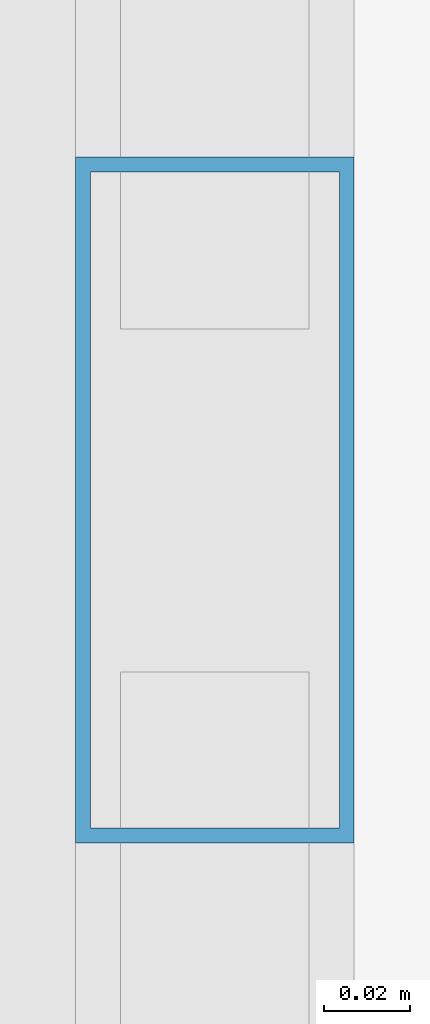
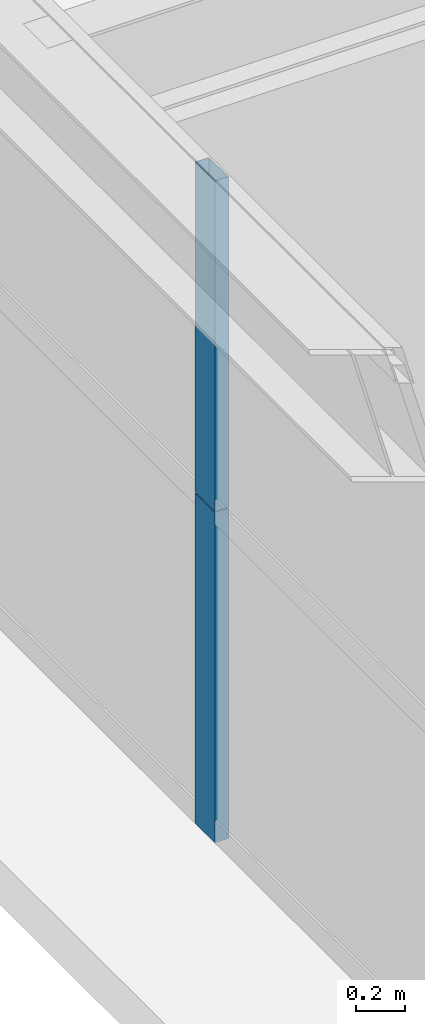
# One storey, part 14 of 45: 2 members, 1 element without a shape of its own.
"""IFC4 building model written with IfcOpenShell, lengths in metres."""

from ifc_helpers import new_model, si_unit, direction, frame, origin, origin_2d, place, context, subcontext, project, spatial, hollow_rectangle, extrude, source, transform, mapped, material, layer, layer_set, material_profile, profile_set, type_object, element, aggregate, save


model = new_model("IFC4")

# Units and contexts
model_context = context("Model", 3, precision=1e-05, world=origin(), true_north=direction((0.0, 1.0)))
body_context = subcontext(model_context, "Body", "Model", "MODEL_VIEW")
ifc_project = project(units=[si_unit("LENGTHUNIT", "METRE"), si_unit("AREAUNIT", "SQUARE_METRE"), si_unit("VOLUMEUNIT", "CUBIC_METRE"), si_unit("PLANEANGLEUNIT", "RADIAN"), si_unit("MASSUNIT", "GRAM", prefix="KILO"), si_unit("THERMODYNAMICTEMPERATUREUNIT", "KELVIN"), si_unit("POWERUNIT", "WATT")], contexts=[model_context])

# Site, building, storey
site_placement = place(None, origin())
site = spatial("IfcSite", under=ifc_project, at=site_placement, CompositionType="ELEMENT")
building_placement = place(site_placement, origin())
building = spatial("IfcBuilding", under=site, at=building_placement, Name="Yuzanri Waterfront Tower", CompositionType="ELEMENT")
storey_placement = place(building_placement, frame((0.0, 0.0, 212.5)))
storey = spatial("IfcBuildingStorey", under=building, at=storey_placement, Name="L56", CompositionType="ELEMENT", Elevation=212.5)

# Curtain wall, members
ifc_material_1 = material(Name="Anodized Architectural Bronze", Category="metal")
ifc_layer = layer(ifc_material_1, 0.159912109375)
ifc_layer_set = layer_set([ifc_layer], Name="Anodized Architectural Bronze")
curtain_wall_type = type_object("IfcCurtainWallType", Name="Anodized Bronze Mid-Rise Residential Acoustic Unitized Curtain Wall 7200", PredefinedType="NOTDEFINED", material=ifc_layer_set)
curtain_wall_placement = place(storey_placement, origin())
curtain_wall = element("IfcCurtainWall", 1, at=curtain_wall_placement, inside=storey, type_object=curtain_wall_type, Name="L56 Curtain Wall CW-L56-WL", PredefinedType="NOTDEFINED")
ifc_material_2 = material(Name="Anodized Architectural Bronze", Category="metal")
ifc_material_profile = material_profile(ifc_material_2, hollow_rectangle(XDim=0.06494140625, YDim=0.159912109375, WallThickness=0.00341796875, at=origin_2d()), Name="CWM 65x160")
ifc_profile_set = profile_set([ifc_material_profile], Name="Anodized Architectural Bronze")
member_type = type_object("IfcMemberType", Name="Anodized Bronze Upper-Zone Curtain-Wall Mullion 65x160", PredefinedType="MULLION", material=ifc_profile_set)
shared_shape = source(origin(), body_context, "Body", "SweptSolid", [
    extrude(hollow_rectangle(XDim=0.06494140625, YDim=0.159912109375, WallThickness=0.00341796875, at=origin_2d()), origin(), (0.0, 0.0, 1.0), 1.637939453125),
])
member_1_placement = place(storey_placement, frame((15.050048828125, 18.22509765625, 0.0), z_axis=(0.0, 0.0, 1.0), x_axis=(1.0, 0.0, 0.0)))
member_1 = element("IfcMember", 2, at=member_1_placement, type_object=member_type, Name="CW-L56-WL Lower Mullion 01", PredefinedType="MULLION", context=body_context, shape_type="MappedRepresentation", body=[
    mapped(shared_shape, transform((0.0, 0.0, 0.0), scale=1.0)),
])
member_2_placement = place(storey_placement, frame((15.050048828125, 18.22509765625, 1.64208984375), z_axis=(0.0, 0.0, 1.0), x_axis=(1.0, 0.0, 0.0)))
member_2 = element("IfcMember", 3, at=member_2_placement, type_object=member_type, Name="CW-L56-WL Upper Mullion 01", PredefinedType="MULLION", context=body_context, shape_type="MappedRepresentation", body=[
    mapped(shared_shape, transform((0.0, 0.0, 0.0), scale=1.0)),
])
aggregate(curtain_wall, [member_1, member_2])

save(model, "model.ifc")
